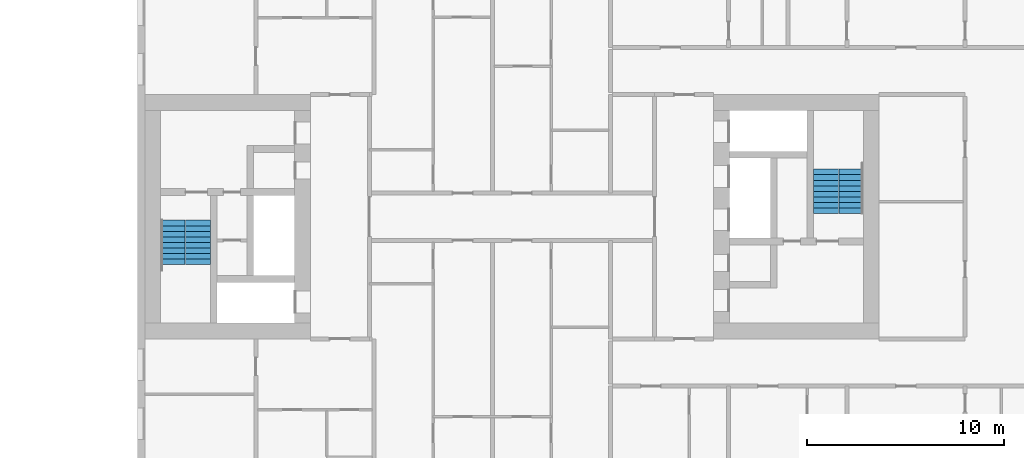
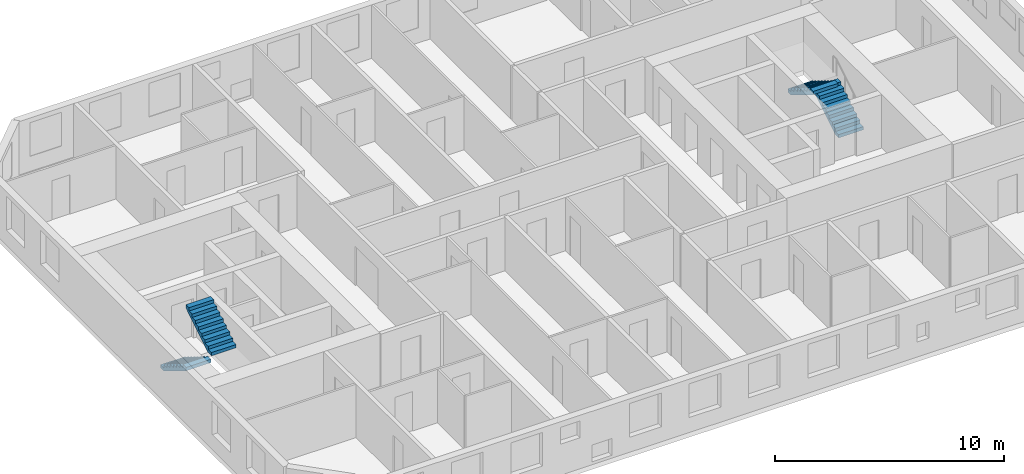
# One storey, part 15 of 17: 4 stair flights, 2 elements without a shape of their own.
"""IFC4 building model written with IfcOpenShell, lengths in metres."""

from ifc_helpers import new_model, si_unit, direction, frame, origin, place, context, subcontext, project, spatial, polyline, outline, extrude, material, type_object, element, aggregate, save


model = new_model("IFC4")

# Units and contexts
model_context = context("Model", 3, precision=1e-05, world=origin(), true_north=direction((0.0, 1.0)))
body_context = subcontext(model_context, "Body", "Model", "MODEL_VIEW")
ifc_project = project(units=[si_unit("LENGTHUNIT", "METRE"), si_unit("AREAUNIT", "SQUARE_METRE"), si_unit("VOLUMEUNIT", "CUBIC_METRE"), si_unit("PLANEANGLEUNIT", "RADIAN"), si_unit("MASSUNIT", "GRAM", prefix="KILO")], contexts=[model_context])

# Site, building, storey
site_placement = place(None, origin())
site = spatial("IfcSite", under=ifc_project, at=site_placement, CompositionType="ELEMENT")
building_placement = place(site_placement, origin())
building = spatial("IfcBuilding", under=site, at=building_placement, Name="Tuart Gate Housing", CompositionType="ELEMENT")
storey_placement = place(building_placement, frame((0.0, 0.0, 53.60009765625)))
storey = spatial("IfcBuildingStorey", under=building, at=storey_placement, Name="L14", CompositionType="ELEMENT", Elevation=53.60009765625)

# Stair, stair flights
ifc_material_1 = material(Name="Concrete C40", Category="concrete")
stair_type = type_object("IfcStairType", Name="Core stair 1250", PredefinedType="HALF_TURN_STAIR", material=ifc_material_1)
stair_1_placement = place(storey_placement, origin())
stair_1 = element("IfcStair", 1, at=stair_1_placement, inside=storey, type_object=stair_type, Name="Stair SB1", PredefinedType="HALF_TURN_STAIR")
ifc_material_2 = material(Name="Concrete C40", Category="concrete")
stair_flight_type = type_object("IfcStairFlightType", Name="Stair flight 1250, 9 risers 172 x 280", PredefinedType="STRAIGHT", material=ifc_material_2)
stair_flight_1_placement = place(storey_placement, frame((132.784912109375, 69.824951171875, 0.0), z_axis=(0.0, 0.0, 1.0), x_axis=(0.0, -1.0, 0.0)))
stair_flight_1 = element("IfcStairFlight", 2, at=stair_flight_1_placement, type_object=stair_flight_type, Name="SB1 flight 1", NumberOfRisers=9, NumberOfTreads=8, PredefinedType="STRAIGHT", RiserHeight=0.172222222, TreadLength=0.28, context=body_context, shape_type="SweptSolid", body=[
    extrude(outline(polyline([(0.0, 0.0), (0.0, 0.172119140625), (0.280029296875, 0.172119140625), (0.280029296875, 0.344482421875), (0.56005859375, 0.344482421875), (0.56005859375, 0.5166015625), (0.840087890625, 0.5166015625), (0.840087890625, 0.68896484375), (1.1201171875, 0.68896484375), (1.1201171875, 0.861083984375), (1.39990234375, 0.861083984375), (1.39990234375, 1.033447265625), (1.679931640625, 1.033447265625), (1.679931640625, 1.20556640625), (1.9599609375, 1.20556640625), (1.9599609375, 1.377685546875), (2.239990234375, 1.377685546875), (2.239990234375, 1.550048828125), (2.239990234375, 1.201904296875), (0.2861328125, 0.0), (0.0, 0.0)])), frame((0.0, 0.625, 0.0), z_axis=(0.0, -1.0, 0.0), x_axis=(1.0, 0.0, 0.0)), (0.0, 0.0, 1.0), 1.25),
])
stair_flight_2_placement = place(storey_placement, frame((134.06005859375, 67.5849609375, 1.5498046875), z_axis=(0.0, 0.0, 1.0), x_axis=(0.0, 1.0, 0.0)))
stair_flight_2 = element("IfcStairFlight", 3, at=stair_flight_2_placement, type_object=stair_flight_type, Name="SB1 flight 2", NumberOfRisers=9, NumberOfTreads=8, PredefinedType="STRAIGHT", RiserHeight=0.172222222, TreadLength=0.28, context=body_context, shape_type="SweptSolid", body=[
    extrude(outline(polyline([(0.0, 0.0), (0.0, 0.172119140625), (0.280029296875, 0.172119140625), (0.280029296875, 0.344482421875), (0.56005859375, 0.344482421875), (0.56005859375, 0.5166015625), (0.840087890625, 0.5166015625), (0.840087890625, 0.68896484375), (1.1201171875, 0.68896484375), (1.1201171875, 0.861083984375), (1.39990234375, 0.861083984375), (1.39990234375, 1.033447265625), (1.679931640625, 1.033447265625), (1.679931640625, 1.20556640625), (1.9599609375, 1.20556640625), (1.9599609375, 1.377685546875), (2.239990234375, 1.377685546875), (2.239990234375, 1.550048828125), (2.239990234375, 1.201904296875), (0.2861328125, 0.0), (0.0, 0.0)])), frame((0.0, 0.625, 0.0), z_axis=(0.0, -1.0, 0.0), x_axis=(1.0, 0.0, 0.0)), (0.0, 0.0, 1.0), 1.25),
])
aggregate(stair_1, [stair_flight_1, stair_flight_2])

stair_2_placement = place(storey_placement, origin())
stair_2 = element("IfcStair", 4, at=stair_2_placement, inside=storey, type_object=stair_type, Name="Stair SB2", PredefinedType="HALF_TURN_STAIR")
stair_flight_3_placement = place(storey_placement, frame((167.215087890625, 70.175048828125, 0.0), z_axis=(0.0, 0.0, 1.0), x_axis=(0.0, 1.0, 0.0)))
stair_flight_3 = element("IfcStairFlight", 5, at=stair_flight_3_placement, type_object=stair_flight_type, Name="SB2 flight 1", NumberOfRisers=9, NumberOfTreads=8, PredefinedType="STRAIGHT", RiserHeight=0.172222222, TreadLength=0.28, context=body_context, shape_type="SweptSolid", body=[
    extrude(outline(polyline([(0.0, 0.0), (0.0, 0.172119140625), (0.280029296875, 0.172119140625), (0.280029296875, 0.344482421875), (0.56005859375, 0.344482421875), (0.56005859375, 0.5166015625), (0.840087890625, 0.5166015625), (0.840087890625, 0.68896484375), (1.1201171875, 0.68896484375), (1.1201171875, 0.861083984375), (1.39990234375, 0.861083984375), (1.39990234375, 1.033447265625), (1.679931640625, 1.033447265625), (1.679931640625, 1.20556640625), (1.9599609375, 1.20556640625), (1.9599609375, 1.377685546875), (2.239990234375, 1.377685546875), (2.239990234375, 1.550048828125), (2.239990234375, 1.201904296875), (0.2861328125, 0.0), (0.0, 0.0)])), frame((0.0, 0.625, 0.0), z_axis=(0.0, -1.0, 0.0), x_axis=(1.0, 0.0, 0.0)), (0.0, 0.0, 1.0), 1.25),
])
stair_flight_4_placement = place(storey_placement, frame((165.93994140625, 72.4150390625, 1.5498046875), z_axis=(0.0, 0.0, 1.0), x_axis=(0.0, -1.0, 0.0)))
stair_flight_4 = element("IfcStairFlight", 6, at=stair_flight_4_placement, type_object=stair_flight_type, Name="SB2 flight 2", NumberOfRisers=9, NumberOfTreads=8, PredefinedType="STRAIGHT", RiserHeight=0.172222222, TreadLength=0.28, context=body_context, shape_type="SweptSolid", body=[
    extrude(outline(polyline([(0.0, 0.0), (0.0, 0.172119140625), (0.280029296875, 0.172119140625), (0.280029296875, 0.344482421875), (0.56005859375, 0.344482421875), (0.56005859375, 0.5166015625), (0.840087890625, 0.5166015625), (0.840087890625, 0.68896484375), (1.1201171875, 0.68896484375), (1.1201171875, 0.861083984375), (1.39990234375, 0.861083984375), (1.39990234375, 1.033447265625), (1.679931640625, 1.033447265625), (1.679931640625, 1.20556640625), (1.9599609375, 1.20556640625), (1.9599609375, 1.377685546875), (2.239990234375, 1.377685546875), (2.239990234375, 1.550048828125), (2.239990234375, 1.201904296875), (0.2861328125, 0.0), (0.0, 0.0)])), frame((0.0, 0.625, 0.0), z_axis=(0.0, -1.0, 0.0), x_axis=(1.0, 0.0, 0.0)), (0.0, 0.0, 1.0), 1.25),
])
aggregate(stair_2, [stair_flight_3, stair_flight_4])

save(model, "model.ifc")
